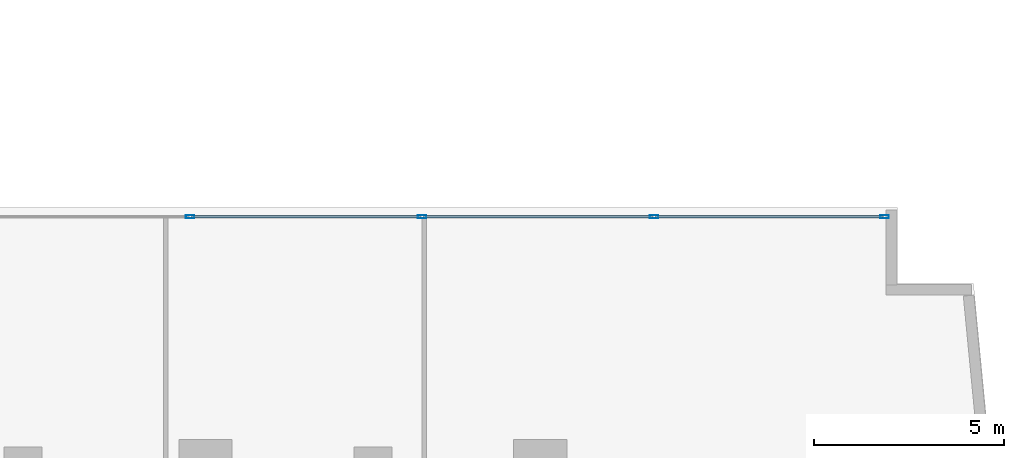
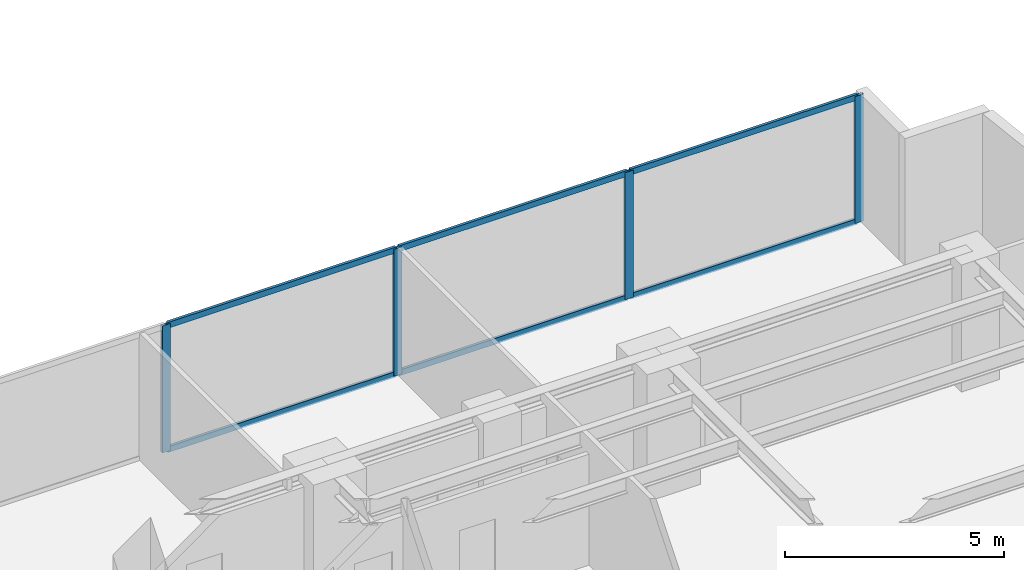
# One storey, part 13 of 26: 10 members, 1 element without a shape of its own.
"""IFC4 building model written with IfcOpenShell, lengths in metres."""

from ifc_helpers import new_model, si_unit, direction, frame, origin, origin_with_axes, origin_2d, place, context, subcontext, project, spatial, hollow_rectangle, extrude, source, transform, mapped, material, layer, layer_set, material_profile, profile_set, type_object, element, aggregate, save


model = new_model("IFC4")

# Units and contexts
model_context = context("Model", 3, precision=1e-05, world=origin(), true_north=direction((0.0, 1.0)))
body_context = subcontext(model_context, "Body", "Model", "MODEL_VIEW")
ifc_project = project(units=[si_unit("LENGTHUNIT", "METRE"), si_unit("AREAUNIT", "SQUARE_METRE"), si_unit("VOLUMEUNIT", "CUBIC_METRE"), si_unit("PLANEANGLEUNIT", "RADIAN"), si_unit("MASSUNIT", "GRAM", prefix="KILO")], contexts=[model_context])

# Site, building, storey
site_placement = place(None, origin())
site = spatial("IfcSite", under=ifc_project, at=site_placement, CompositionType="ELEMENT")
building_placement = place(site_placement, origin())
building = spatial("IfcBuilding", under=site, at=building_placement, Name="Kolvaren Waterfront Exchange", CompositionType="ELEMENT")
storey_placement = place(building_placement, frame((0.0, 0.0, 122.10009765625)))
storey = spatial("IfcBuildingStorey", under=building, at=storey_placement, Name="L31", CompositionType="ELEMENT", Elevation=122.10009765625)

# Curtain wall, members
ifc_material_1 = material(Name="Anodised bronze aluminium 6063-T6", Category="aluminium")
ifc_layer = layer(ifc_material_1, 0.219970703125, Name="Anodised bronze aluminium 6063-T6")
ifc_layer_set = layer_set([ifc_layer], Name="Anodised bronze aluminium 6063-T6")
curtain_wall_type = type_object("IfcCurtainWallType", Name="ARC-CW-SYS1", PredefinedType="USERDEFINED", material=ifc_layer_set)
curtain_wall_placement = place(storey_placement, origin())
curtain_wall = element("IfcCurtainWall", 1, at=curtain_wall_placement, inside=storey, type_object=curtain_wall_type, Name="L31 stick curtain wall CW1 (CW-L31-EN)", ObjectType="STICK CURTAIN WALL", PredefinedType="USERDEFINED")
ifc_material_2 = material(Name="Anodised aluminium 6063-T6", Category="aluminium")
ifc_material_profile_1 = material_profile(ifc_material_2, hollow_rectangle(XDim=0.080078125, YDim=0.219970703125, WallThickness=0.0048828125, at=origin_2d()), Name="ALU-MUL-220x80x5")
ifc_profile_set_1 = profile_set([ifc_material_profile_1], Name="Anodised aluminium 6063-T6")
member_type_1 = type_object("IfcMemberType", Name="ARC-CWM-220", PredefinedType="MULLION", material=ifc_profile_set_1)
shared_shape_1 = source(origin_with_axes(), body_context, "Body", "SweptSolid", [
    extrude(hollow_rectangle(XDim=0.080078125, YDim=0.219970703125, WallThickness=0.0048828125, at=origin_2d()), origin(), (0.0, 0.0, 1.0), 3.539794921875),
])
member_1_placement = place(storey_placement, frame((36.392578125, 23.9599609375, 0.0), z_axis=(0.0, 0.0, 1.0), x_axis=(0.0, 1.0, 0.0)))
member_1 = element("IfcMember", 2, at=member_1_placement, type_object=member_type_1, Name="CW1 mullion 2", PredefinedType="MULLION", context=body_context, shape_type="MappedRepresentation", body=[
    mapped(shared_shape_1, transform((0.0, 0.0, 0.0), x_axis=(1.0, 0.0, 0.0), y_axis=(0.0, 1.0, 0.0), z_axis=(0.0, 0.0, 1.0), scale=1.0)),
])
member_2_placement = place(storey_placement, frame((42.4951171875, 23.9599609375, 0.0), z_axis=(0.0, 0.0, 1.0), x_axis=(0.0, 1.0, 0.0)))
member_2 = element("IfcMember", 3, at=member_2_placement, type_object=member_type_1, Name="CW1 mullion 3", PredefinedType="MULLION", context=body_context, shape_type="MappedRepresentation", body=[
    mapped(shared_shape_1, transform((0.0, 0.0, 0.0), x_axis=(1.0, 0.0, 0.0), y_axis=(0.0, 1.0, 0.0), z_axis=(0.0, 0.0, 1.0), scale=1.0)),
])
member_3_placement = place(storey_placement, frame((48.597412109375, 23.9599609375, 0.0), z_axis=(0.0, 0.0, 1.0), x_axis=(0.0, 1.0, 0.0)))
member_3 = element("IfcMember", 4, at=member_3_placement, type_object=member_type_1, Name="CW1 mullion 4", PredefinedType="MULLION", context=body_context, shape_type="MappedRepresentation", body=[
    mapped(shared_shape_1, transform((0.0, 0.0, 0.0), x_axis=(1.0, 0.0, 0.0), y_axis=(0.0, 1.0, 0.0), z_axis=(0.0, 0.0, 1.0), scale=1.0)),
])
member_4_placement = place(storey_placement, frame((54.659912109375, 23.9599609375, 0.0), z_axis=(0.0, 0.0, 1.0), x_axis=(0.0, 1.0, 0.0)))
member_4 = element("IfcMember", 5, at=member_4_placement, type_object=member_type_1, Name="CW1 mullion 5", PredefinedType="MULLION", context=body_context, shape_type="MappedRepresentation", body=[
    mapped(shared_shape_1, transform((0.0, 0.0, 0.0), x_axis=(1.0, 0.0, 0.0), y_axis=(0.0, 1.0, 0.0), z_axis=(0.0, 0.0, 1.0), scale=1.0)),
])
ifc_material_profile_2 = material_profile(ifc_material_2, hollow_rectangle(XDim=0.074951171875, YDim=0.159912109375, WallThickness=0.00439453125, at=origin_2d()), Name="ALU-TRN-160x75x4.5")
ifc_profile_set_2 = profile_set([ifc_material_profile_2], Name="Anodised aluminium 6063-T6")
member_type_2 = type_object("IfcMemberType", Name="ARC-CWT-160", PredefinedType="USERDEFINED", material=ifc_profile_set_2)
shared_shape_2 = source(origin_with_axes(), body_context, "Body", "SweptSolid", [
    extrude(hollow_rectangle(XDim=0.074951171875, YDim=0.159912109375, WallThickness=0.00439453125, at=origin_2d()), origin(), (0.0, 0.0, 1.0), 6.0224609375),
])
member_5_placement = place(storey_placement, frame((36.4326171875, 23.9599609375, 0.037353515625), z_axis=(1.0, 0.0, 0.0), x_axis=(0.0, 1.0, 0.0)))
member_5 = element("IfcMember", 6, at=member_5_placement, type_object=member_type_2, Name="CW1 transom 2.1", ObjectType="TRANSOM", PredefinedType="USERDEFINED", context=body_context, shape_type="MappedRepresentation", body=[
    mapped(shared_shape_2, transform((0.0, 0.0, 0.0), x_axis=(1.0, 0.0, 0.0), y_axis=(0.0, 1.0, 0.0), z_axis=(0.0, 0.0, 1.0), scale=1.0)),
])
member_6_placement = place(storey_placement, frame((36.4326171875, 23.9599609375, 3.50244140625), z_axis=(1.0, 0.0, 0.0), x_axis=(0.0, 1.0, 0.0)))
member_6 = element("IfcMember", 7, at=member_6_placement, type_object=member_type_2, Name="CW1 transom 2.2", ObjectType="TRANSOM", PredefinedType="USERDEFINED", context=body_context, shape_type="MappedRepresentation", body=[
    mapped(shared_shape_2, transform((0.0, 0.0, 0.0), x_axis=(1.0, 0.0, 0.0), y_axis=(0.0, 1.0, 0.0), z_axis=(0.0, 0.0, 1.0), scale=1.0)),
])
shared_shape_3 = source(origin_with_axes(), body_context, "Body", "SweptSolid", [
    extrude(hollow_rectangle(XDim=0.074951171875, YDim=0.159912109375, WallThickness=0.00439453125, at=origin_2d()), origin(), (0.0, 0.0, 1.0), 6.022705078125),
])
member_7_placement = place(storey_placement, frame((42.534912109375, 23.9599609375, 0.037353515625), z_axis=(1.0, 0.0, 0.0), x_axis=(0.0, 1.0, 0.0)))
member_7 = element("IfcMember", 8, at=member_7_placement, type_object=member_type_2, Name="CW1 transom 3.1", ObjectType="TRANSOM", PredefinedType="USERDEFINED", context=body_context, shape_type="MappedRepresentation", body=[
    mapped(shared_shape_3, transform((0.0, 0.0, 0.0), x_axis=(1.0, 0.0, 0.0), y_axis=(0.0, 1.0, 0.0), z_axis=(0.0, 0.0, 1.0), scale=1.0)),
])
member_8_placement = place(storey_placement, frame((42.534912109375, 23.9599609375, 3.50244140625), z_axis=(1.0, 0.0, 0.0), x_axis=(0.0, 1.0, 0.0)))
member_8 = element("IfcMember", 9, at=member_8_placement, type_object=member_type_2, Name="CW1 transom 3.2", ObjectType="TRANSOM", PredefinedType="USERDEFINED", context=body_context, shape_type="MappedRepresentation", body=[
    mapped(shared_shape_3, transform((0.0, 0.0, 0.0), x_axis=(1.0, 0.0, 0.0), y_axis=(0.0, 1.0, 0.0), z_axis=(0.0, 0.0, 1.0), scale=1.0)),
])
shared_shape_4 = source(origin_with_axes(), body_context, "Body", "SweptSolid", [
    extrude(hollow_rectangle(XDim=0.074951171875, YDim=0.159912109375, WallThickness=0.00439453125, at=origin_2d()), origin(), (0.0, 0.0, 1.0), 5.982666015625),
])
member_9_placement = place(storey_placement, frame((48.637451171875, 23.9599609375, 0.037353515625), z_axis=(1.0, 0.0, 0.0), x_axis=(0.0, 1.0, 0.0)))
member_9 = element("IfcMember", 10, at=member_9_placement, type_object=member_type_2, Name="CW1 transom 4.1", ObjectType="TRANSOM", PredefinedType="USERDEFINED", context=body_context, shape_type="MappedRepresentation", body=[
    mapped(shared_shape_4, transform((0.0, 0.0, 0.0), x_axis=(1.0, 0.0, 0.0), y_axis=(0.0, 1.0, 0.0), z_axis=(0.0, 0.0, 1.0), scale=1.0)),
])
member_10_placement = place(storey_placement, frame((48.637451171875, 23.9599609375, 3.50244140625), z_axis=(1.0, 0.0, 0.0), x_axis=(0.0, 1.0, 0.0)))
member_10 = element("IfcMember", 11, at=member_10_placement, type_object=member_type_2, Name="CW1 transom 4.2", ObjectType="TRANSOM", PredefinedType="USERDEFINED", context=body_context, shape_type="MappedRepresentation", body=[
    mapped(shared_shape_4, transform((0.0, 0.0, 0.0), x_axis=(1.0, 0.0, 0.0), y_axis=(0.0, 1.0, 0.0), z_axis=(0.0, 0.0, 1.0), scale=1.0)),
])
aggregate(curtain_wall, [member_1, member_2, member_3, member_4, member_5, member_6, member_7, member_8, member_9, member_10])

save(model, "model.ifc")
